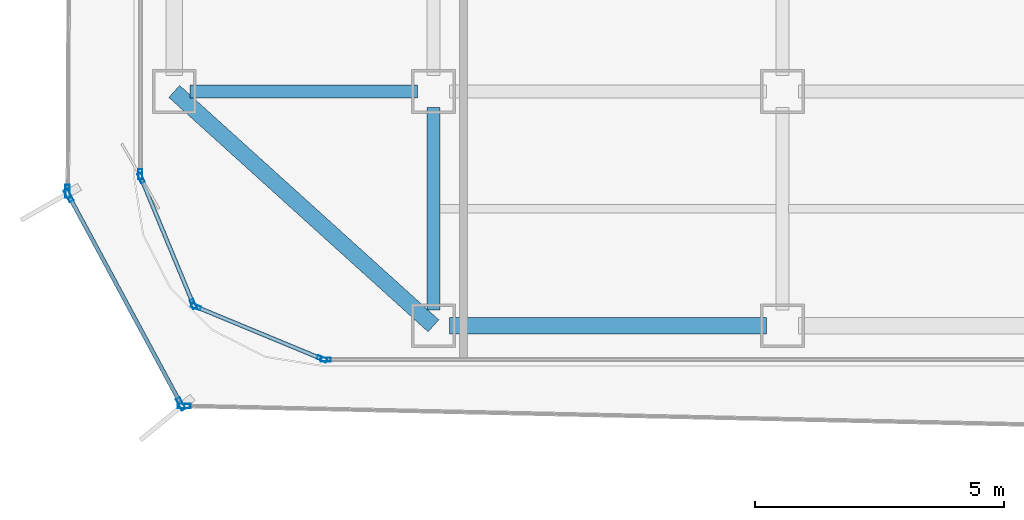
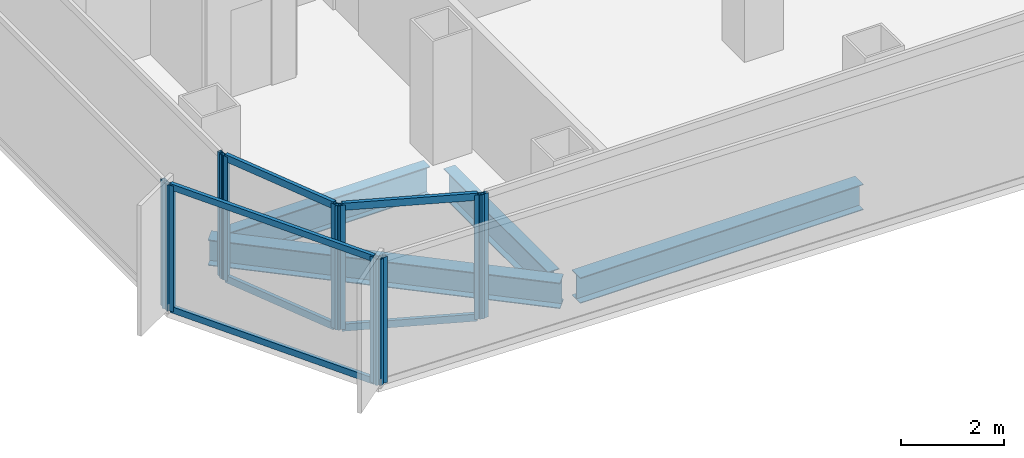
# One storey, part 2 of 21: 16 members, 4 beams, 7 elements without a shape of their own.
"""IFC4 building model written with IfcOpenShell, lengths in metres."""

from ifc_helpers import new_model, si_unit, direction, frame, origin, origin_2d, place, context, subcontext, project, spatial, hollow_rectangle, i_section, extrude, source, transform, mapped, material, layer, layer_set, material_profile, profile_set, type_object, element, aggregate, save


model = new_model("IFC4")

# Units and contexts
model_context = context("Model", 3, precision=1e-05, world=origin(), true_north=direction((0.0, 1.0)))
body_context = subcontext(model_context, "Body", "Model", "MODEL_VIEW")
ifc_project = project(units=[si_unit("LENGTHUNIT", "METRE"), si_unit("AREAUNIT", "SQUARE_METRE"), si_unit("VOLUMEUNIT", "CUBIC_METRE"), si_unit("PLANEANGLEUNIT", "RADIAN"), si_unit("MASSUNIT", "GRAM", prefix="KILO")], contexts=[model_context])

# Site, building, storey
site_placement = place(None, origin())
site = spatial("IfcSite", under=ifc_project, at=site_placement, CompositionType="ELEMENT")
building_placement = place(site_placement, origin())
building = spatial("IfcBuilding", under=site, at=building_placement, Name="Kolveth Station Tower", CompositionType="ELEMENT")
storey_placement = place(building_placement, frame((0.0, 0.0, 134.300048828125)))
storey = spatial("IfcBuildingStorey", under=building, at=storey_placement, Name="L37", CompositionType="ELEMENT", Elevation=134.300048828125)

# Beams
ifc_material_1 = material(Name="Steel S355", Category="steel")
ifc_material_profile_1 = material_profile(ifc_material_1, i_section(OverallWidth=0.323974609375, OverallDepth=0.611083984375, WebThickness=0.0126953125, FlangeThickness=0.01904296875, at=origin_2d()), Name="W610x155")
ifc_profile_set_1 = profile_set([ifc_material_profile_1], Name="Steel S355")
beam_type_1 = type_object("IfcBeamType", Name="Beam_SP2", PredefinedType="SPANDREL", material=ifc_profile_set_1)
shared_shape_1 = source(origin(), body_context, "Body", "SweptSolid", [
    extrude(i_section(OverallWidth=0.323974609375, OverallDepth=0.611083984375, WebThickness=0.0126953125, FlangeThickness=0.01904296875, at=origin_2d()), origin(), (0.0, 0.0, 1.0), 6.35986328125),
])
beam_1_placement = place(storey_placement, frame((6.320068359375, 0.800048828125, -0.5556640625), z_axis=(1.0, 0.0, 0.0), x_axis=(0.0, 1.0, 0.0)))
element("IfcBeam", 1, at=beam_1_placement, inside=storey, type_object=beam_type_1, Name="L37 Perimeter Spandrel BM-L37-PS-1", PredefinedType="SPANDREL", context=body_context, shape_type="MappedRepresentation", body=[
    mapped(shared_shape_1, transform((0.0, 0.0, 0.0), x_axis=(1.0, 0.0, 0.0), y_axis=(0.0, 1.0, 0.0), z_axis=(0.0, 0.0, 1.0), scale=1.0)),
])
shared_shape_2 = source(origin(), body_context, "Body", "SweptSolid", [
    extrude(i_section(OverallWidth=0.323974609375, OverallDepth=0.611083984375, WebThickness=0.0126953125, FlangeThickness=0.01904296875, at=origin_2d()), origin(), (0.0, 0.0, 1.0), 7.00927734375),
])
beam_2_placement = place(storey_placement, frame((0.800048828125, 5.5, -0.5556640625), z_axis=(0.741874009795, -0.670539300557, 0.0), x_axis=(0.670539300557, 0.741874009795, 0.0)))
element("IfcBeam", 2, at=beam_2_placement, inside=storey, type_object=beam_type_1, Name="L37 Corner Edge Girder BM-L37-CNR-SW", PredefinedType="SPANDREL", context=body_context, shape_type="MappedRepresentation", body=[
    mapped(shared_shape_2, transform((0.0, 0.0, 0.0), x_axis=(1.0, 0.0, 0.0), y_axis=(0.0, 1.0, 0.0), z_axis=(0.0, 0.0, 1.0), scale=1.0)),
])
ifc_material_profile_2 = material_profile(ifc_material_1, i_section(OverallWidth=0.25390625, OverallDepth=0.68798828125, WebThickness=0.01318359375, FlangeThickness=0.02099609375, at=origin_2d()), Name="W690x152")
ifc_profile_set_2 = profile_set([ifc_material_profile_2], Name="Steel S355")
beam_type_2 = type_object("IfcBeamType", Name="Beam_B4", PredefinedType="BEAM", material=ifc_profile_set_2)
shared_shape_3 = source(origin(), body_context, "Body", "SweptSolid", [
    extrude(i_section(OverallWidth=0.25390625, OverallDepth=0.68798828125, WebThickness=0.01318359375, FlangeThickness=0.02099609375, at=origin_2d()), origin(), (0.0, 0.0, 1.0), 4.559814453125),
])
beam_3_placement = place(storey_placement, frame((1.1201171875, 5.5, -0.593994140625), z_axis=(1.0, 0.0, 0.0), x_axis=(0.0, 1.0, 0.0)))
element("IfcBeam", 3, at=beam_3_placement, inside=storey, type_object=beam_type_2, Name="L37 Primary Girder BM-L37-GY55-1", PredefinedType="BEAM", context=body_context, shape_type="MappedRepresentation", body=[
    mapped(shared_shape_3, transform((0.0, 0.0, 0.0), x_axis=(1.0, 0.0, 0.0), y_axis=(0.0, 1.0, 0.0), z_axis=(0.0, 0.0, 1.0), scale=1.0)),
])
shared_shape_4 = source(origin(), body_context, "Body", "SweptSolid", [
    extrude(i_section(OverallWidth=0.25390625, OverallDepth=0.68798828125, WebThickness=0.01318359375, FlangeThickness=0.02099609375, at=origin_2d()), origin(), (0.0, 0.0, 1.0), 4.059814453125),
])
beam_4_placement = place(storey_placement, frame((6.0, 1.1201171875, -0.593994140625), z_axis=(0.0, 1.0, 0.0), x_axis=(-1.0, 0.0, 0.0)))
element("IfcBeam", 4, at=beam_4_placement, inside=storey, type_object=beam_type_2, Name="L37 Primary Girder BM-L37-GX60-1", PredefinedType="BEAM", context=body_context, shape_type="MappedRepresentation", body=[
    mapped(shared_shape_4, transform((0.0, 0.0, 0.0), x_axis=(1.0, 0.0, 0.0), y_axis=(0.0, 1.0, 0.0), z_axis=(0.0, 0.0, 1.0), scale=1.0)),
])

# Curtain wall, member
ifc_material_2 = material(Name="Aluminium 6063-T6 and low-E dark glass", Category="aluminium")
ifc_layer_1 = layer(ifc_material_2, 0.18994140625)
ifc_layer_set_1 = layer_set([ifc_layer_1], Name="Aluminium 6063-T6 and low-E dark glass")
curtain_wall_type_1 = type_object("IfcCurtainWallType", Name="CurtainWall_CW-Z2", PredefinedType="NOTDEFINED", material=ifc_layer_set_1)
curtain_wall_1_placement = place(storey_placement, origin())
curtain_wall_1 = element("IfcCurtainWall", 5, at=curtain_wall_1_placement, inside=storey, type_object=curtain_wall_type_1, Name="L37 Inner Thermal Curtain Wall 9", PredefinedType="NOTDEFINED")
ifc_material_3 = material(Name="Black anodized aluminium 6063-T6", Category="aluminium")
ifc_material_profile_3 = material_profile(ifc_material_3, hollow_rectangle(XDim=0.080078125, YDim=0.199951171875, WallThickness=0.0048828125, at=origin_2d()), Name="ALU-80x200x5")
ifc_profile_set_3 = profile_set([ifc_material_profile_3], Name="Black anodized aluminium 6063-T6")
member_type_1 = type_object("IfcMemberType", Name="Mullion_ML2", PredefinedType="MULLION", material=ifc_profile_set_3)
shared_shape_5 = source(origin(), body_context, "Body", "SweptSolid", [
    extrude(hollow_rectangle(XDim=0.080078125, YDim=0.199951171875, WallThickness=0.0048828125, at=origin_2d()), origin(), (0.0, 0.0, 1.0), 2.949951171875),
])
member_1_placement = place(storey_placement, frame((0.1201171875, 3.840087890625, 0.0), z_axis=(0.0, 0.0, 1.0), x_axis=(1.0, 0.0, 0.0)))
member_1 = element("IfcMember", 6, at=member_1_placement, type_object=member_type_1, Name="CW-Z2 mullion 2", PredefinedType="MULLION", context=body_context, shape_type="MappedRepresentation", body=[
    mapped(shared_shape_5, transform((0.0, 0.0, 0.0), x_axis=(1.0, 0.0, 0.0), y_axis=(0.0, 1.0, 0.0), z_axis=(0.0, 0.0, 1.0), scale=1.0)),
])
aggregate(curtain_wall_1, [member_1])

# Curtain wall, members
curtain_wall_2_placement = place(storey_placement, origin())
curtain_wall_2 = element("IfcCurtainWall", 7, at=curtain_wall_2_placement, inside=storey, type_object=curtain_wall_type_1, Name="L37 Inner Thermal Curtain Wall 10", PredefinedType="NOTDEFINED")
member_2_placement = place(storey_placement, frame((0.13525390625, 3.762939453125, 0.0), z_axis=(0.0, 0.0, 1.0), x_axis=(0.923887883787, 0.38266326998, 0.0)))
member_2 = element("IfcMember", 8, at=member_2_placement, type_object=member_type_1, Name="CW-Z2 mullion 1", PredefinedType="MULLION", context=body_context, shape_type="MappedRepresentation", body=[
    mapped(shared_shape_5, transform((0.0, 0.0, 0.0), x_axis=(1.0, 0.0, 0.0), y_axis=(0.0, 1.0, 0.0), z_axis=(0.0, 0.0, 1.0), scale=1.0)),
])
member_3_placement = place(storey_placement, frame((1.182373046875, 1.23486328125, 0.0), z_axis=(0.0, 0.0, 1.0), x_axis=(0.923887883787, 0.38266326998, 0.0)))
member_3 = element("IfcMember", 9, at=member_3_placement, type_object=member_type_1, Name="CW-Z2 mullion 2", PredefinedType="MULLION", context=body_context, shape_type="MappedRepresentation", body=[
    mapped(shared_shape_5, transform((0.0, 0.0, 0.0), x_axis=(1.0, 0.0, 0.0), y_axis=(0.0, 1.0, 0.0), z_axis=(0.0, 0.0, 1.0), scale=1.0)),
])

curtain_wall_3_placement = place(storey_placement, origin())
curtain_wall_3 = element("IfcCurtainWall", 10, at=curtain_wall_3_placement, inside=storey, type_object=curtain_wall_type_1, Name="L37 Inner Thermal Curtain Wall 11", PredefinedType="NOTDEFINED")
member_4_placement = place(storey_placement, frame((1.23486328125, 1.182373046875, 0.0), z_axis=(0.0, 0.0, 1.0), x_axis=(0.38266326998, 0.923887883787, 0.0)))
member_4 = element("IfcMember", 11, at=member_4_placement, type_object=member_type_1, Name="CW-Z2 mullion 1", PredefinedType="MULLION", context=body_context, shape_type="MappedRepresentation", body=[
    mapped(shared_shape_5, transform((0.0, 0.0, 0.0), x_axis=(1.0, 0.0, 0.0), y_axis=(0.0, 1.0, 0.0), z_axis=(0.0, 0.0, 1.0), scale=1.0)),
])
member_5_placement = place(storey_placement, frame((3.762939453125, 0.13525390625, 0.0), z_axis=(0.0, 0.0, 1.0), x_axis=(0.38266326998, 0.923887883787, 0.0)))
member_5 = element("IfcMember", 12, at=member_5_placement, type_object=member_type_1, Name="CW-Z2 mullion 2", PredefinedType="MULLION", context=body_context, shape_type="MappedRepresentation", body=[
    mapped(shared_shape_5, transform((0.0, 0.0, 0.0), x_axis=(1.0, 0.0, 0.0), y_axis=(0.0, 1.0, 0.0), z_axis=(0.0, 0.0, 1.0), scale=1.0)),
])

# Curtain wall, member
curtain_wall_4_placement = place(storey_placement, origin())
curtain_wall_4 = element("IfcCurtainWall", 13, at=curtain_wall_4_placement, inside=storey, type_object=curtain_wall_type_1, Name="L37 Inner Thermal Curtain Wall 12", PredefinedType="NOTDEFINED")
member_6_placement = place(storey_placement, frame((3.840087890625, 0.1201171875, 0.0), z_axis=(0.0, 0.0, 1.0), x_axis=(0.0, 1.0, 0.0)))
member_6 = element("IfcMember", 14, at=member_6_placement, type_object=member_type_1, Name="CW-Z2 mullion 1", PredefinedType="MULLION", context=body_context, shape_type="MappedRepresentation", body=[
    mapped(shared_shape_5, transform((0.0, 0.0, 0.0), x_axis=(1.0, 0.0, 0.0), y_axis=(0.0, 1.0, 0.0), z_axis=(0.0, 0.0, 1.0), scale=1.0)),
])
aggregate(curtain_wall_4, [member_6])

# Member
ifc_material_profile_4 = material_profile(ifc_material_3, hollow_rectangle(XDim=0.080078125, YDim=0.169921875, WallThickness=0.0048828125, at=origin_2d()), Name="ALU-80x170x5")
ifc_profile_set_4 = profile_set([ifc_material_profile_4], Name="Black anodized aluminium 6063-T6")
member_type_2 = type_object("IfcMemberType", Name="Transom_TR2", PredefinedType="USERDEFINED", material=ifc_profile_set_4)
shared_shape_6 = source(origin(), body_context, "Body", "SweptSolid", [
    extrude(hollow_rectangle(XDim=0.080078125, YDim=0.169921875, WallThickness=0.0048828125, at=origin_2d()), origin(), (0.0, 0.0, 1.0), 2.656494140625),
])
member_7_placement = place(storey_placement, frame((0.150634765625, 3.72607421875, 0.0400390625), z_axis=(0.382676455475, -0.923882422403, 0.0), x_axis=(0.923882422403, 0.382676455475, 0.0)))
member_7 = element("IfcMember", 15, at=member_7_placement, type_object=member_type_2, Name="CW-Z2 transom 1.1", ObjectType="TRANSOM", PredefinedType="USERDEFINED", context=body_context, shape_type="MappedRepresentation", body=[
    mapped(shared_shape_6, transform((0.0, 0.0, 0.0), x_axis=(1.0, 0.0, 0.0), y_axis=(0.0, 1.0, 0.0), z_axis=(0.0, 0.0, 1.0), scale=1.0)),
])

member_8_placement = place(storey_placement, frame((0.150634765625, 3.72607421875, 2.909912109375), z_axis=(0.382676455475, -0.923882422403, 0.0), x_axis=(0.923882422403, 0.382676455475, 0.0)))
member_8 = element("IfcMember", 16, at=member_8_placement, type_object=member_type_2, Name="CW-Z2 transom 1.2", ObjectType="TRANSOM", PredefinedType="USERDEFINED", context=body_context, shape_type="MappedRepresentation", body=[
    mapped(shared_shape_6, transform((0.0, 0.0, 0.0), x_axis=(1.0, 0.0, 0.0), y_axis=(0.0, 1.0, 0.0), z_axis=(0.0, 0.0, 1.0), scale=1.0)),
])

aggregate(curtain_wall_2, [member_2, member_3, member_7, member_8])

member_9_placement = place(storey_placement, frame((1.271728515625, 1.167236328125, 0.0400390625), z_axis=(0.923882422403, -0.382676455475, 0.0), x_axis=(0.382676455475, 0.923882422403, 0.0)))
member_9 = element("IfcMember", 17, at=member_9_placement, type_object=member_type_2, Name="CW-Z2 transom 1.1", ObjectType="TRANSOM", PredefinedType="USERDEFINED", context=body_context, shape_type="MappedRepresentation", body=[
    mapped(shared_shape_6, transform((0.0, 0.0, 0.0), x_axis=(1.0, 0.0, 0.0), y_axis=(0.0, 1.0, 0.0), z_axis=(0.0, 0.0, 1.0), scale=1.0)),
])

member_10_placement = place(storey_placement, frame((1.271728515625, 1.167236328125, 2.909912109375), z_axis=(0.923882422403, -0.382676455475, 0.0), x_axis=(0.382676455475, 0.923882422403, 0.0)))
member_10 = element("IfcMember", 18, at=member_10_placement, type_object=member_type_2, Name="CW-Z2 transom 1.2", ObjectType="TRANSOM", PredefinedType="USERDEFINED", context=body_context, shape_type="MappedRepresentation", body=[
    mapped(shared_shape_6, transform((0.0, 0.0, 0.0), x_axis=(1.0, 0.0, 0.0), y_axis=(0.0, 1.0, 0.0), z_axis=(0.0, 0.0, 1.0), scale=1.0)),
])

aggregate(curtain_wall_3, [member_4, member_5, member_9, member_10])

# Curtain wall, member
ifc_material_4 = material(Name="Black anodized aluminium 6063-T6 and dark solar glass", Category="aluminium")
ifc_layer_2 = layer(ifc_material_4, 0.159912109375)
ifc_layer_set_2 = layer_set([ifc_layer_2], Name="Black anodized aluminium 6063-T6 and dark solar glass")
curtain_wall_type_2 = type_object("IfcCurtainWallType", Name="OUTER SKIN CW-OS", PredefinedType="NOTDEFINED", material=ifc_layer_set_2)
curtain_wall_5_placement = place(storey_placement, origin())
curtain_wall_5 = element("IfcCurtainWall", 19, at=curtain_wall_5_placement, inside=storey, type_object=curtain_wall_type_2, Name="L37 Outer Ventilated Skin Curtain Wall 6", PredefinedType="NOTDEFINED")
ifc_material_profile_5 = material_profile(ifc_material_3, hollow_rectangle(XDim=0.090087890625, YDim=0.260009765625, WallThickness=0.0048828125, at=origin_2d()), Name="ALU-90x260x5")
ifc_profile_set_5 = profile_set([ifc_material_profile_5], Name="Black anodized aluminium 6063-T6")
member_type_3 = type_object("IfcMemberType", Name="FIN MULLION ML-OS", PredefinedType="MULLION", material=ifc_profile_set_5)
shared_shape_7 = source(origin(), body_context, "Body", "SweptSolid", [
    extrude(hollow_rectangle(XDim=0.090087890625, YDim=0.260009765625, WallThickness=0.0048828125, at=origin_2d()), origin(), (0.0, 0.0, 1.0), 2.989990234375),
])
member_11_placement = place(storey_placement, frame((-1.337158203125, 3.4970703125, 0.0), z_axis=(0.0, 0.0, 1.0), x_axis=(0.99999320844, -0.003685522263, 0.0)))
member_11 = element("IfcMember", 20, at=member_11_placement, type_object=member_type_3, Name="CW-OS mullion 2", PredefinedType="MULLION", context=body_context, shape_type="MappedRepresentation", body=[
    mapped(shared_shape_7, transform((0.0, 0.0, 0.0), x_axis=(1.0, 0.0, 0.0), y_axis=(0.0, 1.0, 0.0), z_axis=(0.0, 0.0, 1.0), scale=1.0)),
])
aggregate(curtain_wall_5, [member_11])

# Curtain wall, members
curtain_wall_6_placement = place(storey_placement, origin())
curtain_wall_6 = element("IfcCurtainWall", 21, at=curtain_wall_6_placement, inside=storey, type_object=curtain_wall_type_2, Name="L37 Outer Ventilated Skin Curtain Wall 7", PredefinedType="NOTDEFINED")
member_12_placement = place(storey_placement, frame((-1.31591796875, 3.412353515625, 0.0), z_axis=(0.0, 0.0, 1.0), x_axis=(0.880603126439, 0.473854549104, 0.0)))
member_12 = element("IfcMember", 22, at=member_12_placement, type_object=member_type_3, Name="CW-OS mullion 1", PredefinedType="MULLION", context=body_context, shape_type="MappedRepresentation", body=[
    mapped(shared_shape_7, transform((0.0, 0.0, 0.0), x_axis=(1.0, 0.0, 0.0), y_axis=(0.0, 1.0, 0.0), z_axis=(0.0, 0.0, 1.0), scale=1.0)),
])
member_13_placement = place(storey_placement, frame((0.93408203125, -0.769287109375, 0.0), z_axis=(0.0, 0.0, 1.0), x_axis=(0.880603126439, 0.473854549104, 0.0)))
member_13 = element("IfcMember", 23, at=member_13_placement, type_object=member_type_3, Name="CW-OS mullion 2", PredefinedType="MULLION", context=body_context, shape_type="MappedRepresentation", body=[
    mapped(shared_shape_7, transform((0.0, 0.0, 0.0), x_axis=(1.0, 0.0, 0.0), y_axis=(0.0, 1.0, 0.0), z_axis=(0.0, 0.0, 1.0), scale=1.0)),
])

# Curtain wall, member
curtain_wall_7_placement = place(storey_placement, origin())
curtain_wall_7 = element("IfcCurtainWall", 24, at=curtain_wall_7_placement, inside=storey, type_object=curtain_wall_type_2, Name="L37 Outer Ventilated Skin Curtain Wall 8", PredefinedType="NOTDEFINED")
member_14_placement = place(storey_placement, frame((1.00048828125, -0.809814453125, 0.0), z_axis=(0.0, 0.0, 1.0), x_axis=(0.022083581739, 0.999756127972, 0.0)))
member_14 = element("IfcMember", 25, at=member_14_placement, type_object=member_type_3, Name="CW-OS mullion 1", PredefinedType="MULLION", context=body_context, shape_type="MappedRepresentation", body=[
    mapped(shared_shape_7, transform((0.0, 0.0, 0.0), x_axis=(1.0, 0.0, 0.0), y_axis=(0.0, 1.0, 0.0), z_axis=(0.0, 0.0, 1.0), scale=1.0)),
])
aggregate(curtain_wall_7, [member_14])

# Member
ifc_material_profile_6 = material_profile(ifc_material_3, hollow_rectangle(XDim=0.080078125, YDim=0.14990234375, WallThickness=0.0048828125, at=origin_2d()), Name="ALU-80x150x5")
ifc_profile_set_6 = profile_set([ifc_material_profile_6], Name="Black anodized aluminium 6063-T6")
member_type_4 = type_object("IfcMemberType", Name="Transom_TR-OS", PredefinedType="USERDEFINED", material=ifc_profile_set_6)
shared_shape_8 = source(origin(), body_context, "Body", "SweptSolid", [
    extrude(hollow_rectangle(XDim=0.080078125, YDim=0.14990234375, WallThickness=0.0048828125, at=origin_2d()), origin(), (0.0, 0.0, 1.0), 4.658447265625),
])
member_15_placement = place(storey_placement, frame((-1.294677734375, 3.372802734375, 0.0400390625), z_axis=(0.473865416476, -0.880597278594, 0.0), x_axis=(0.880597278594, 0.473865416476, 0.0)))
member_15 = element("IfcMember", 26, at=member_15_placement, type_object=member_type_4, Name="CW-OS transom 1.1", ObjectType="TRANSOM", PredefinedType="USERDEFINED", context=body_context, shape_type="MappedRepresentation", body=[
    mapped(shared_shape_8, transform((0.0, 0.0, 0.0), x_axis=(1.0, 0.0, 0.0), y_axis=(0.0, 1.0, 0.0), z_axis=(0.0, 0.0, 1.0), scale=1.0)),
])

member_16_placement = place(storey_placement, frame((-1.294677734375, 3.372802734375, 2.949951171875), z_axis=(0.473865416476, -0.880597278594, 0.0), x_axis=(0.880597278594, 0.473865416476, 0.0)))
member_16 = element("IfcMember", 27, at=member_16_placement, type_object=member_type_4, Name="CW-OS transom 1.2", ObjectType="TRANSOM", PredefinedType="USERDEFINED", context=body_context, shape_type="MappedRepresentation", body=[
    mapped(shared_shape_8, transform((0.0, 0.0, 0.0), x_axis=(1.0, 0.0, 0.0), y_axis=(0.0, 1.0, 0.0), z_axis=(0.0, 0.0, 1.0), scale=1.0)),
])

aggregate(curtain_wall_6, [member_12, member_13, member_15, member_16])

save(model, "model.ifc")
